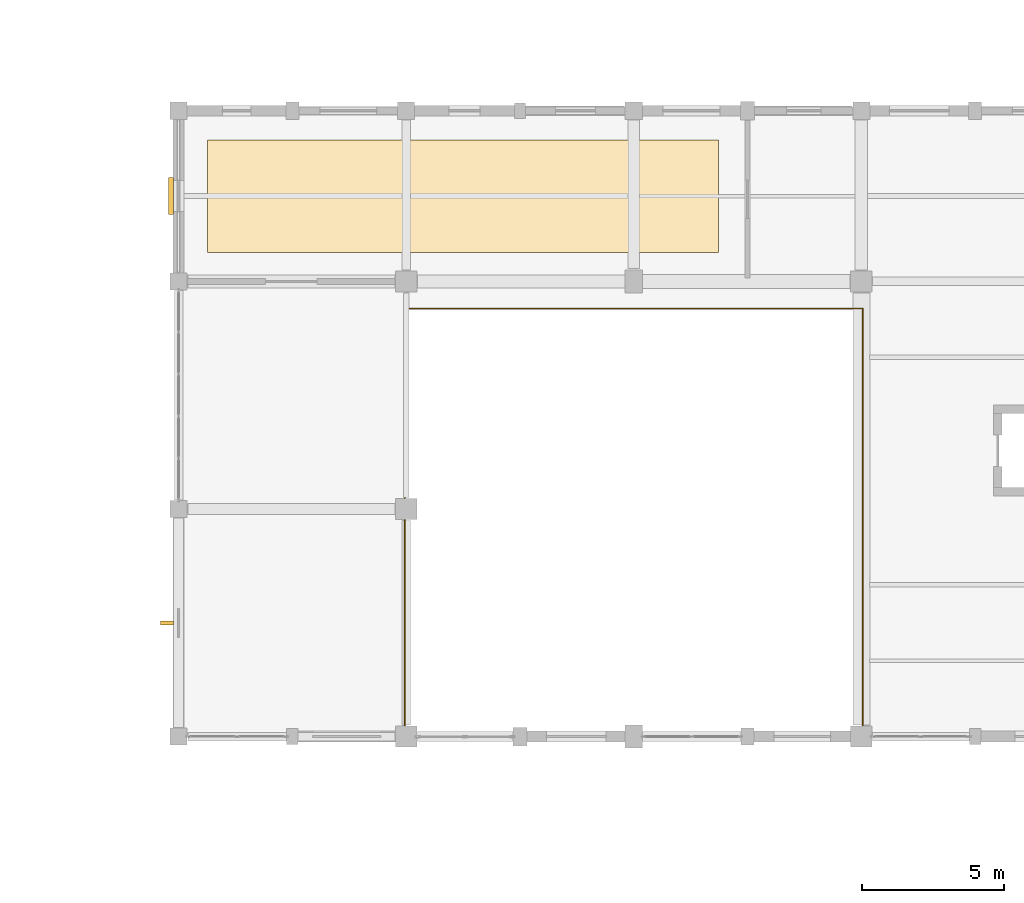
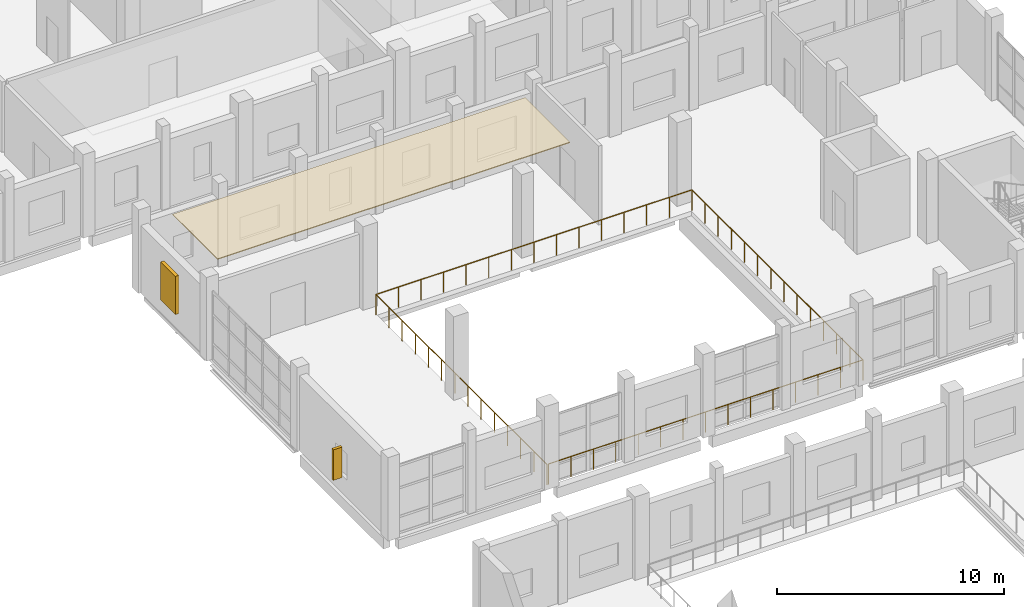
# One storey, part 180 of 183: 2 shading devices, 1 covering, 1 railing.
"""IFC4 building model written with IfcOpenShell, lengths in metres."""

from ifc_helpers import new_model, si_unit, direction, frame, origin, origin_2d, place, context, subcontext, project, spatial, polyline, rectangle, circle, outline, extrude, material, layer, layer_set, type_object, element, save


model = new_model("IFC4")

# Units and contexts
model_context = context("Model", 3, precision=1e-05, world=origin(), true_north=direction((0.0, 1.0)))
body_context = subcontext(model_context, "Body", "Model", "MODEL_VIEW")
ifc_project = project(units=[si_unit("LENGTHUNIT", "METRE"), si_unit("AREAUNIT", "SQUARE_METRE"), si_unit("VOLUMEUNIT", "CUBIC_METRE"), si_unit("PLANEANGLEUNIT", "RADIAN"), si_unit("MASSUNIT", "GRAM", prefix="KILO")], contexts=[model_context])

# Site, building, storey
site_placement = place(None, origin())
site = spatial("IfcSite", under=ifc_project, at=site_placement, CompositionType="ELEMENT")
building_placement = place(site_placement, origin())
building = spatial("IfcBuilding", under=site, at=building_placement, Name="Luwemba Playhouse", CompositionType="ELEMENT")
storey_placement = place(building_placement, frame((0.0, 0.0, 4.800048828125)))
storey = spatial("IfcBuildingStorey", under=building, at=storey_placement, Name="L01", CompositionType="ELEMENT", Elevation=4.800048828125)

# Covering
ifc_material_1 = material(Name="Perforated acoustic gypsum and timber baffle ceiling", Category="wood")
ifc_layer = layer(ifc_material_1, 0.044921875)
ifc_layer_set = layer_set([ifc_layer], Name="Perforated acoustic gypsum and timber baffle ceiling")
covering_type = type_object("IfcCoveringType", Name="COV-CEIL-AC", PredefinedType="CEILING", material=ifc_layer_set)
covering_placement = place(storey_placement, frame((0.0, 0.0, 4.204833984375)))
element("IfcCovering", 1, at=covering_placement, inside=storey, type_object=covering_type, Name="L01 Movement and Physical Theatre Studio acoustic ceiling cloud", PredefinedType="CEILING", context=body_context, shape_type="SweptSolid", body=[
    extrude(outline(polyline([(133.02001953125, 85.02001953125), (150.97998046875, 85.02001953125), (150.97998046875, 88.97998046875), (133.02001953125, 88.97998046875), (133.02001953125, 85.02001953125)])), origin(), (0.0, 0.0, 1.0), 0.045166015625),
])

# Railing
ifc_material_2 = material(Name="Painted wrought-iron gallery balustrade", Category="steel")
railing_type = type_object("IfcRailingType", Name="RLG-BAL-INT", PredefinedType="BALUSTRADE", material=ifc_material_2)
railing_placement = place(storey_placement, frame((140.02001953125, 67.949951171875, 0.0)))
element("IfcRailing", 2, at=railing_placement, inside=storey, type_object=railing_type, Name="L01 V4 gallery void balustrade 007", PredefinedType="BALUSTRADE", context=body_context, shape_type="SweptSolid", body=[
    extrude(circle(Radius=0.02392578125, at=origin_2d()), frame((0.0, 0.0, 1.09619140625), z_axis=(1.0, 0.0, 0.0), x_axis=(0.0, 1.0, 0.0)), (0.0, 0.0, 1.0), 16.030029296875),
    extrude(circle(Radius=0.02392578125, at=origin_2d()), frame((16.030029296875, 0.0, 1.09619140625), z_axis=(0.0, 1.0, 0.0), x_axis=(-1.0, 0.0, 0.0)), (0.0, 0.0, 1.0), 15.10009765625),
    extrude(circle(Radius=0.02392578125, at=origin_2d()), frame((16.030029296875, 15.10009765625, 1.09619140625), z_axis=(-1.0, 0.0, 0.0), x_axis=(0.0, -1.0, 0.0)), (0.0, 0.0, 1.0), 16.10009765625),
    extrude(circle(Radius=0.02392578125, at=origin_2d()), frame((-0.070068359375, 15.10009765625, 1.09619140625), z_axis=(0.0, -1.0, 0.0), x_axis=(1.0, 0.0, 0.0)), (0.0, 0.0, 1.0), 15.10009765625),
    extrude(circle(Radius=0.02099609375, at=origin_2d()), origin(), (0.0, 0.0, 1.0), 1.072021484375),
    extrude(circle(Radius=0.02099609375, at=origin_2d()), frame((1.14501953125, 0.0, 0.0)), (0.0, 0.0, 1.0), 1.072021484375),
    extrude(circle(Radius=0.02099609375, at=origin_2d()), frame((2.2900390625, 0.0, 0.0)), (0.0, 0.0, 1.0), 1.072021484375),
    extrude(circle(Radius=0.02099609375, at=origin_2d()), frame((3.43505859375, 0.0, 0.0)), (0.0, 0.0, 1.0), 1.072021484375),
    extrude(circle(Radius=0.02099609375, at=origin_2d()), frame((4.580078125, 0.0, 0.0)), (0.0, 0.0, 1.0), 1.072021484375),
    extrude(circle(Radius=0.02099609375, at=origin_2d()), frame((5.72509765625, 0.0, 0.0)), (0.0, 0.0, 1.0), 1.072021484375),
    extrude(circle(Radius=0.02099609375, at=origin_2d()), frame((6.8701171875, 0.0, 0.0)), (0.0, 0.0, 1.0), 1.072021484375),
    extrude(circle(Radius=0.02099609375, at=origin_2d()), frame((8.01513671875, 0.0, 0.0)), (0.0, 0.0, 1.0), 1.072021484375),
    extrude(circle(Radius=0.02099609375, at=origin_2d()), frame((9.159912109375, 0.0, 0.0)), (0.0, 0.0, 1.0), 1.072021484375),
    extrude(circle(Radius=0.02099609375, at=origin_2d()), frame((10.304931640625, 0.0, 0.0)), (0.0, 0.0, 1.0), 1.072021484375),
    extrude(circle(Radius=0.02099609375, at=origin_2d()), frame((11.449951171875, 0.0, 0.0)), (0.0, 0.0, 1.0), 1.072021484375),
    extrude(circle(Radius=0.02099609375, at=origin_2d()), frame((12.594970703125, 0.0, 0.0)), (0.0, 0.0, 1.0), 1.072021484375),
    extrude(circle(Radius=0.02099609375, at=origin_2d()), frame((13.739990234375, 0.0, 0.0)), (0.0, 0.0, 1.0), 1.072021484375),
    extrude(circle(Radius=0.02099609375, at=origin_2d()), frame((14.885009765625, 0.0, 0.0)), (0.0, 0.0, 1.0), 1.072021484375),
    extrude(circle(Radius=0.02099609375, at=origin_2d()), frame((16.030029296875, 0.0, 0.0)), (0.0, 0.0, 1.0), 1.072021484375),
    extrude(circle(Radius=0.02099609375, at=origin_2d()), frame((16.030029296875, 1.16162109375, 0.0)), (0.0, 0.0, 1.0), 1.072021484375),
    extrude(circle(Radius=0.02099609375, at=origin_2d()), frame((16.030029296875, 2.322998046875, 0.0)), (0.0, 0.0, 1.0), 1.072021484375),
    extrude(circle(Radius=0.02099609375, at=origin_2d()), frame((16.030029296875, 3.484619140625, 0.0)), (0.0, 0.0, 1.0), 1.072021484375),
    extrude(circle(Radius=0.02099609375, at=origin_2d()), frame((16.030029296875, 4.646240234375, 0.0)), (0.0, 0.0, 1.0), 1.072021484375),
    extrude(circle(Radius=0.02099609375, at=origin_2d()), frame((16.030029296875, 5.8076171875, 0.0)), (0.0, 0.0, 1.0), 1.072021484375),
    extrude(circle(Radius=0.02099609375, at=origin_2d()), frame((16.030029296875, 6.96923828125, 0.0)), (0.0, 0.0, 1.0), 1.072021484375),
    extrude(circle(Radius=0.02099609375, at=origin_2d()), frame((16.030029296875, 8.130859375, 0.0)), (0.0, 0.0, 1.0), 1.072021484375),
    extrude(circle(Radius=0.02099609375, at=origin_2d()), frame((16.030029296875, 9.29248046875, 0.0)), (0.0, 0.0, 1.0), 1.072021484375),
    extrude(circle(Radius=0.02099609375, at=origin_2d()), frame((16.030029296875, 10.453857421875, 0.0)), (0.0, 0.0, 1.0), 1.072021484375),
    extrude(circle(Radius=0.02099609375, at=origin_2d()), frame((16.030029296875, 11.615478515625, 0.0)), (0.0, 0.0, 1.0), 1.072021484375),
    extrude(circle(Radius=0.02099609375, at=origin_2d()), frame((16.030029296875, 12.777099609375, 0.0)), (0.0, 0.0, 1.0), 1.072021484375),
    extrude(circle(Radius=0.02099609375, at=origin_2d()), frame((16.030029296875, 13.9384765625, 0.0)), (0.0, 0.0, 1.0), 1.072021484375),
    extrude(circle(Radius=0.02099609375, at=origin_2d()), frame((16.030029296875, 15.10009765625, 0.0)), (0.0, 0.0, 1.0), 1.072021484375),
    extrude(circle(Radius=0.02099609375, at=origin_2d()), frame((14.880126953125, 15.10009765625, 0.0)), (0.0, 0.0, 1.0), 1.072021484375),
    extrude(circle(Radius=0.02099609375, at=origin_2d()), frame((13.72998046875, 15.10009765625, 0.0)), (0.0, 0.0, 1.0), 1.072021484375),
    extrude(circle(Radius=0.02099609375, at=origin_2d()), frame((12.580078125, 15.10009765625, 0.0)), (0.0, 0.0, 1.0), 1.072021484375),
    extrude(circle(Radius=0.02099609375, at=origin_2d()), frame((11.429931640625, 15.10009765625, 0.0)), (0.0, 0.0, 1.0), 1.072021484375),
    extrude(circle(Radius=0.02099609375, at=origin_2d()), frame((10.280029296875, 15.10009765625, 0.0)), (0.0, 0.0, 1.0), 1.072021484375),
    extrude(circle(Radius=0.02099609375, at=origin_2d()), frame((9.1298828125, 15.10009765625, 0.0)), (0.0, 0.0, 1.0), 1.072021484375),
    extrude(circle(Radius=0.02099609375, at=origin_2d()), frame((7.97998046875, 15.10009765625, 0.0)), (0.0, 0.0, 1.0), 1.072021484375),
    extrude(circle(Radius=0.02099609375, at=origin_2d()), frame((6.830078125, 15.10009765625, 0.0)), (0.0, 0.0, 1.0), 1.072021484375),
    extrude(circle(Radius=0.02099609375, at=origin_2d()), frame((5.679931640625, 15.10009765625, 0.0)), (0.0, 0.0, 1.0), 1.072021484375),
    extrude(circle(Radius=0.02099609375, at=origin_2d()), frame((4.530029296875, 15.10009765625, 0.0)), (0.0, 0.0, 1.0), 1.072021484375),
    extrude(circle(Radius=0.02099609375, at=origin_2d()), frame((3.3798828125, 15.10009765625, 0.0)), (0.0, 0.0, 1.0), 1.072021484375),
    extrude(circle(Radius=0.02099609375, at=origin_2d()), frame((2.22998046875, 15.10009765625, 0.0)), (0.0, 0.0, 1.0), 1.072021484375),
    extrude(circle(Radius=0.02099609375, at=origin_2d()), frame((1.079833984375, 15.10009765625, 0.0)), (0.0, 0.0, 1.0), 1.072021484375),
    extrude(circle(Radius=0.02099609375, at=origin_2d()), frame((-0.070068359375, 15.10009765625, 0.0)), (0.0, 0.0, 1.0), 1.072021484375),
    extrude(circle(Radius=0.02099609375, at=origin_2d()), frame((-0.070068359375, 13.9384765625, 0.0)), (0.0, 0.0, 1.0), 1.072021484375),
    extrude(circle(Radius=0.02099609375, at=origin_2d()), frame((-0.070068359375, 12.777099609375, 0.0)), (0.0, 0.0, 1.0), 1.072021484375),
    extrude(circle(Radius=0.02099609375, at=origin_2d()), frame((-0.070068359375, 11.615478515625, 0.0)), (0.0, 0.0, 1.0), 1.072021484375),
    extrude(circle(Radius=0.02099609375, at=origin_2d()), frame((-0.070068359375, 10.453857421875, 0.0)), (0.0, 0.0, 1.0), 1.072021484375),
    extrude(circle(Radius=0.02099609375, at=origin_2d()), frame((-0.070068359375, 9.29248046875, 0.0)), (0.0, 0.0, 1.0), 1.072021484375),
    extrude(circle(Radius=0.02099609375, at=origin_2d()), frame((-0.070068359375, 8.130859375, 0.0)), (0.0, 0.0, 1.0), 1.072021484375),
    extrude(circle(Radius=0.02099609375, at=origin_2d()), frame((-0.070068359375, 6.96923828125, 0.0)), (0.0, 0.0, 1.0), 1.072021484375),
    extrude(circle(Radius=0.02099609375, at=origin_2d()), frame((-0.070068359375, 5.8076171875, 0.0)), (0.0, 0.0, 1.0), 1.072021484375),
    extrude(circle(Radius=0.02099609375, at=origin_2d()), frame((-0.070068359375, 4.646240234375, 0.0)), (0.0, 0.0, 1.0), 1.072021484375),
    extrude(circle(Radius=0.02099609375, at=origin_2d()), frame((-0.070068359375, 3.484619140625, 0.0)), (0.0, 0.0, 1.0), 1.072021484375),
    extrude(circle(Radius=0.02099609375, at=origin_2d()), frame((-0.070068359375, 2.322998046875, 0.0)), (0.0, 0.0, 1.0), 1.072021484375),
    extrude(circle(Radius=0.02099609375, at=origin_2d()), frame((-0.070068359375, 1.16162109375, 0.0)), (0.0, 0.0, 1.0), 1.072021484375),
    extrude(circle(Radius=0.02099609375, at=origin_2d()), frame((-0.070068359375, 0.0, 0.0)), (0.0, 0.0, 1.0), 1.072021484375),
])

# Shading devices
ifc_material_3 = material(Name="Extruded terracotta brise-soleil fin on steel bracket", Category="masonry")
shading_device_type_1 = type_object("IfcShadingDeviceType", Name="SHD-BRISE", PredefinedType="USERDEFINED", material=ifc_material_3)
shading_device_1_placement = place(storey_placement, frame((131.590087890625, 72.0, 0.824951171875), z_axis=(0.0, 0.0, 1.0), x_axis=(0.0, 1.0, 0.0)))
element("IfcShadingDevice", 3, at=shading_device_1_placement, inside=storey, type_object=shading_device_type_1, Name="L01 terracotta brise-soleil fin 027", ObjectType="TERRACOTTA BRISE SOLEIL", PredefinedType="USERDEFINED", context=body_context, shape_type="SweptSolid", body=[
    extrude(rectangle(XDim=0.139892578125, YDim=0.449951171875, at=origin_2d()), origin(), (0.0, 0.0, 1.0), 1.64990234375),
])
ifc_material_4 = material(Name="Kiln-fired terracotta gelosia louvre screen", Category="masonry")
shading_device_type_2 = type_object("IfcShadingDeviceType", Name="SHD-GELOSIA", PredefinedType="JALOUSIE", material=ifc_material_4)
shading_device_2_placement = place(storey_placement, frame((131.72509765625, 87.0, 0.9248046875), z_axis=(0.0, 0.0, 1.0), x_axis=(0.0, 1.0, 0.0)))
element("IfcShadingDevice", 4, at=shading_device_2_placement, inside=storey, type_object=shading_device_type_2, Name="L01 fired-clay gelosia screen 028", PredefinedType="JALOUSIE", context=body_context, shape_type="SweptSolid", body=[
    extrude(rectangle(XDim=1.300048828125, YDim=0.179931640625, at=origin_2d()), origin(), (0.0, 0.0, 1.0), 2.050048828125),
])

save(model, "model.ifc")
